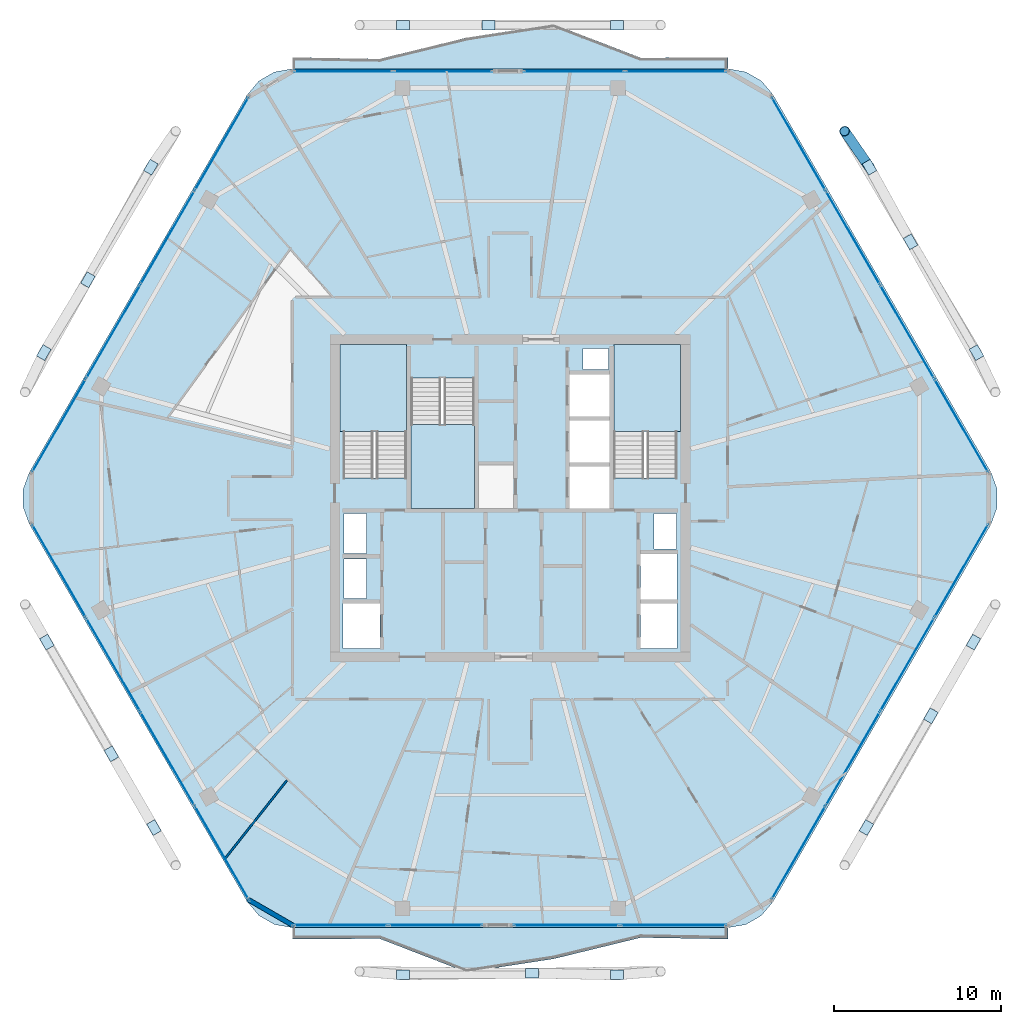
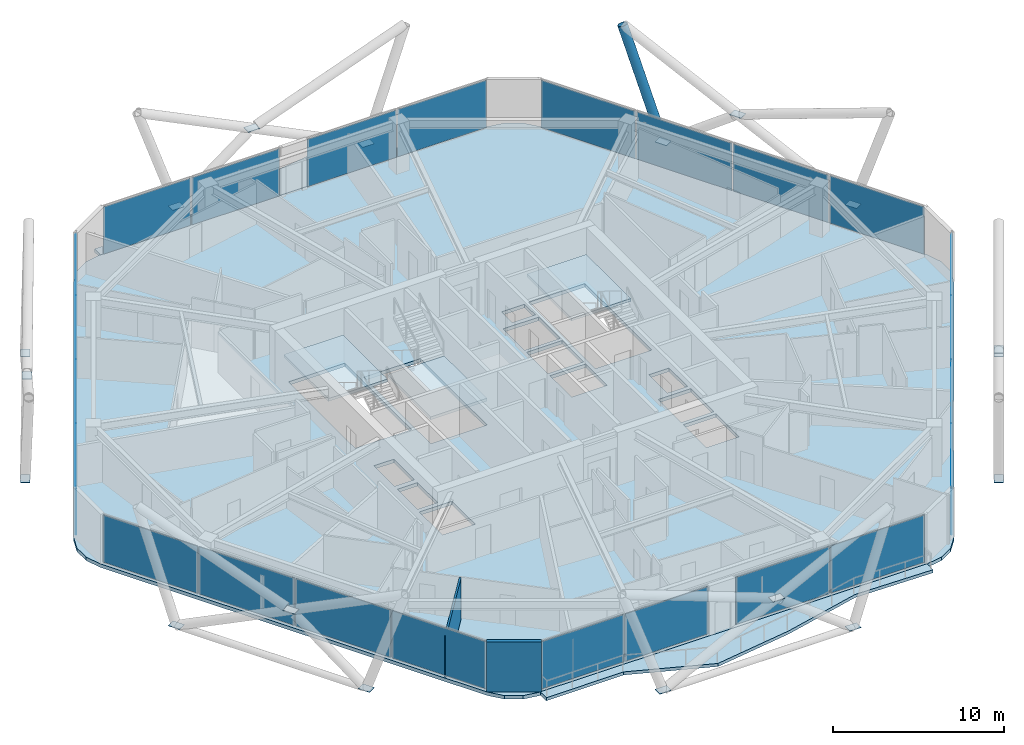
# One storey, part 19 of 28: 42 plates, 6 slabs, 2 walls, 1 member, 11 elements without a shape of their own.
"""IFC4 building model written with IfcOpenShell, lengths in metres."""

from ifc_helpers import new_model, si_unit, direction, frame, frame_2d, origin, origin_2d, place, context, subcontext, project, spatial, polyline, rectangle, hollow_circle, outline, extrude, material, layer, layer_set, material_profile, profile_set, type_object, element, aggregate, save


model = new_model("IFC4")

# Units and contexts
model_context = context("Model", 3, precision=1e-05, world=origin(), true_north=direction((0.0, 1.0)))
body_context = subcontext(model_context, "Body", "Model", "MODEL_VIEW")
ifc_project = project(units=[si_unit("LENGTHUNIT", "METRE"), si_unit("AREAUNIT", "SQUARE_METRE"), si_unit("VOLUMEUNIT", "CUBIC_METRE"), si_unit("PLANEANGLEUNIT", "RADIAN"), si_unit("MASSUNIT", "GRAM", prefix="KILO")], contexts=[model_context])

# Site, building, storey
site_placement = place(None, origin())
site = spatial("IfcSite", under=ifc_project, at=site_placement, CompositionType="ELEMENT")
building_placement = place(site_placement, origin())
building = spatial("IfcBuilding", under=site, at=building_placement, Name="Zuhravey Tower", CompositionType="ELEMENT")
storey_placement = place(building_placement, frame((0.0, 0.0, 254.0)))
storey = spatial("IfcBuildingStorey", under=building, at=storey_placement, Name="L64", CompositionType="ELEMENT", Elevation=254.0)

# Member
ifc_material_1 = material(Name="Steel SM355", Category="steel")
ifc_material_profile = material_profile(ifc_material_1, hollow_circle(Radius=0.3046875, WallThickness=0.028076171875, at=origin_2d()), Name="CHS-609.6x28")
ifc_profile_set = profile_set([ifc_material_profile], Name="Steel SM355")
member_type = type_object("IfcMemberType", Name="Exoskeleton Zone 3 Diagrid CHS610x28", PredefinedType="BRACE", material=ifc_profile_set)
member_placement = place(storey_placement, frame((57.50341796875, 51.821044921875, -0.446044921875), z_axis=(-0.185576202579, 0.269244105879, 0.945023324837), x_axis=(-0.823369095739, -0.567506239773, 0.0)))
element("IfcMember", 1, at=member_placement, inside=storey, type_object=member_type, Name="L64 Face 1 Diagrid Brace 4", PredefinedType="BRACE", context=body_context, shape_type="SweptSolid", body=[
    extrude(hollow_circle(Radius=0.3046875, WallThickness=0.028076171875, at=origin_2d()), origin(), (0.0, 0.0, 1.0), 8.00390625),
])

# Plates
ifc_material_2 = material(Name="Steel SM460", Category="steel")
ifc_layer_1 = layer(ifc_material_2, 0.031982421875)
ifc_layer_set_1 = layer_set([ifc_layer_1], Name="Steel SM460")
plate_type_1 = type_object("IfcPlateType", Name="Exoskeleton Zone 3 Node Plate ND3", PredefinedType="SHEET", material=ifc_layer_set_1)
for number, where, z_axis, x_axis, name in (
    (2, (63.914794921875, 40.717529296875, -0.47998046875), (0.0, 0.0, 1.0), (-0.5, 0.866025403784, 0.0), "L64 Exoskeleton Node Gusset L64-01"),
    (3, (57.507080078125, 51.81591796875, -0.47998046875), (0.0, 0.0, 1.0), (-0.5, 0.866025403784, 0.0), "L64 Exoskeleton Node Gusset L64-02"),
    (4, (42.40771484375, 60.323486328125, -0.47998046875), (0.0, 0.0, 1.0), (-1.0, 0.0, 0.0), "L64 Exoskeleton Node Gusset L64-03"),
    (5, (29.59228515625, 60.323486328125, -0.47998046875), (0.0, 0.0, 1.0), (-1.0, 0.0, 0.0), "L64 Exoskeleton Node Gusset L64-04"),
    (6, (14.492919921875, 51.81591796875, -0.47998046875), (0.0, 0.0, 1.0), (-0.5, -0.866025403784, 0.0), "L64 Exoskeleton Node Gusset L64-05"),
    (7, (8.085205078125, 40.717529296875, -0.47998046875), (0.0, 0.0, 1.0), (-0.5, -0.866025403784, 0.0), "L64 Exoskeleton Node Gusset L64-06"),
    (8, (8.26708984375, 23.387451171875, -0.47998046875), (0.0, 0.0, 1.0), (0.5, -0.866025403784, 0.0), "L64 Exoskeleton Node Gusset L64-07"),
    (9, (14.6748046875, 12.2890625, -0.47998046875), (0.0, 0.0, 1.0), (0.5, -0.866025403784, 0.0), "L64 Exoskeleton Node Gusset L64-08"),
    (10, (29.59228515625, 3.46630859375, -0.47998046875), (0.0, 0.0, 1.0), (1.0, 0.0, 0.0), "L64 Exoskeleton Node Gusset L64-09"),
    (11, (42.40771484375, 3.46630859375, -0.47998046875), (0.0, 0.0, 1.0), (1.0, 0.0, 0.0), "L64 Exoskeleton Node Gusset L64-10"),
    (12, (57.3251953125, 12.2890625, -0.47998046875), (0.0, 0.0, 1.0), (0.5, 0.866025403784, 0.0), "L64 Exoskeleton Node Gusset L64-11"),
    (13, (63.73291015625, 23.387451171875, -0.47998046875), (0.0, 0.0, 1.0), (0.5, 0.866025403784, 0.0), "L64 Exoskeleton Node Gusset L64-12"),
    (14, (59.964599609375, 47.349365234375, 3.31982421875), (0.0, 0.0, 1.0), (-0.5, 0.866025403784, 0.0), "L64 Face 1 Diagrid X-Crossing Plate"),
    (15, (34.689208984375, 60.323486328125, 3.31982421875), (0.0, 0.0, 1.0), (-1.0, 0.0, 0.0), "L64 Face 2 Diagrid X-Crossing Plate"),
    (16, (10.724853515625, 45.079345703125, 3.31982421875), (0.0, 0.0, 1.0), (-0.5, -0.866025403784, 0.0), "L64 Face 3 Diagrid X-Crossing Plate"),
    (17, (12.12646484375, 16.703125, 3.31982421875), (0.0, 0.0, 1.0), (0.5, -0.866025403784, 0.0), "L64 Face 4 Diagrid X-Crossing Plate"),
    (18, (37.310791015625, 3.5712890625, 3.31982421875), (0.0, 0.0, 1.0), (1.0, 0.0, 0.0), "L64 Face 5 Diagrid X-Crossing Plate"),
    (19, (61.184326171875, 18.973388671875, 3.31982421875), (0.0, 0.0, 1.0), (0.5, 0.866025403784, 0.0), "L64 Face 6 Diagrid X-Crossing Plate"),
):
    element("IfcPlate", number, at=place(storey_placement, frame(where, z_axis=z_axis, x_axis=x_axis)), inside=storey, type_object=plate_type_1, Name=name, PredefinedType="SHEET", context=body_context, shape_type="SweptSolid", body=[
        extrude(rectangle(XDim=0.780029296875, YDim=0.56005859375, at=origin_2d()), origin(), (0.0, 0.0, 1.0), 0.031982421875),
    ])

# Slabs
ifc_material_3 = material(Name="Concrete C50/60", Category="concrete")
ifc_layer_2 = layer(ifc_material_3, 0.25)
ifc_layer_set_2 = layer_set([ifc_layer_2], Name="Concrete C50/60")
slab_type_1 = type_object("IfcSlabType", Name="Residential Acoustic Slab 250", PredefinedType="FLOOR", material=ifc_layer_set_2)
slab_1_placement = place(storey_placement, frame((0.0, 0.0, -0.25)))
element("IfcSlab", 20, at=slab_1_placement, inside=storey, type_object=slab_type_1, Name="L64 Floor Slab FS25", PredefinedType="FLOOR", context=body_context, shape_type="SweptSolid", body=[
    extrude(outline(polyline([(64.78515625, 30.449951171875), (65.1533203125, 31.461669921875), (65.1533203125, 32.538330078125), (64.78515625, 33.550048828125), (51.73486328125, 56.153564453125), (51.04296875, 56.978515625), (50.110595703125, 57.5166015625), (49.05029296875, 57.70361328125), (22.94970703125, 57.70361328125), (21.889404296875, 57.5166015625), (20.95703125, 56.978515625), (20.26513671875, 56.153564453125), (7.21484375, 33.550048828125), (6.8466796875, 32.538330078125), (6.8466796875, 31.461669921875), (7.21484375, 30.449951171875), (20.26513671875, 7.846435546875), (20.95703125, 7.021484375), (21.889404296875, 6.4833984375), (22.94970703125, 6.29638671875), (49.05029296875, 6.29638671875), (50.110595703125, 6.4833984375), (51.04296875, 7.021484375), (51.73486328125, 7.846435546875), (64.78515625, 30.449951171875)]), holes=[polyline([(29.800048828125, 33.20068359375), (29.800048828125, 41.0), (26.0, 41.0), (26.0, 33.20068359375), (29.800048828125, 33.20068359375)]), polyline([(46.0, 33.20068359375), (46.0, 41.0), (42.199951171875, 41.0), (42.199951171875, 33.20068359375), (46.0, 33.20068359375)]), polyline([(30.050048828125, 39.199462890625), (30.050048828125, 31.39990234375), (33.85009765625, 31.39990234375), (33.85009765625, 39.199462890625), (30.050048828125, 39.199462890625)]), polyline([(39.550048828125, 31.39990234375), (41.949951171875, 31.39990234375), (41.949951171875, 33.89990234375), (39.550048828125, 33.89990234375), (39.550048828125, 31.39990234375)]), polyline([(39.550048828125, 34.14990234375), (41.949951171875, 34.14990234375), (41.949951171875, 36.64990234375), (39.550048828125, 36.64990234375), (39.550048828125, 34.14990234375)]), polyline([(39.550048828125, 36.89990234375), (41.949951171875, 36.89990234375), (41.949951171875, 39.39990234375), (39.550048828125, 39.39990234375), (39.550048828125, 36.89990234375)]), polyline([(26.0, 23.0), (28.199951171875, 23.0), (28.199951171875, 25.699951171875), (26.0, 25.699951171875), (26.0, 23.0)]), polyline([(43.800048828125, 23.0), (46.0, 23.0), (46.0, 25.699951171875), (43.800048828125, 25.699951171875), (43.800048828125, 23.0)]), polyline([(43.800048828125, 25.949951171875), (46.0, 25.949951171875), (46.0, 28.64990234375), (43.800048828125, 28.64990234375), (43.800048828125, 25.949951171875)]), polyline([(26.050048828125, 26.0), (27.39990234375, 26.0), (27.39990234375, 28.35009765625), (26.050048828125, 28.35009765625), (26.050048828125, 26.0)]), polyline([(26.050048828125, 28.699951171875), (27.39990234375, 28.699951171875), (27.39990234375, 31.10009765625), (26.050048828125, 31.10009765625), (26.050048828125, 28.699951171875)]), polyline([(44.60009765625, 28.949951171875), (45.949951171875, 28.949951171875), (45.949951171875, 31.10009765625), (44.60009765625, 31.10009765625), (44.60009765625, 28.949951171875)]), polyline([(40.35009765625, 39.699951171875), (41.89990234375, 39.699951171875), (41.89990234375, 40.949951171875), (40.35009765625, 40.949951171875), (40.35009765625, 39.699951171875)])]), origin(), (0.0, 0.0, 1.0), 0.25),
])
ifc_material_4 = material(Name="Concrete C40/50", Category="concrete")
ifc_layer_3 = layer(ifc_material_4, 0.219970703125)
ifc_layer_set_3 = layer_set([ifc_layer_3], Name="Concrete C40/50")
slab_type_2 = type_object("IfcSlabType", Name="Sinusoidal Residential Wave Balcony 220", PredefinedType="FLOOR", material=ifc_layer_set_3)
slab_2_placement = place(storey_placement, frame((0.0, 0.0, -0.219970703125)))
element("IfcSlab", 21, at=slab_2_placement, inside=storey, type_object=slab_type_2, Name="L64 Face 5 Wave Balcony WB22", PredefinedType="FLOOR", context=body_context, shape_type="SweptSolid", body=[
    extrude(outline(polyline([(22.95849609375, 6.311279296875), (49.04150390625, 6.311279296875), (49.04150390625, 5.611328125), (43.824951171875, 5.70361328125), (38.6083984375, 4.4296875), (33.3916015625, 3.627685546875), (28.175048828125, 5.639404296875), (22.95849609375, 5.611328125), (22.95849609375, 6.311279296875)])), origin(), (0.0, 0.0, 1.0), 0.219970703125),
])
slab_3_placement = place(storey_placement, frame((0.0, 0.0, -0.219970703125)))
element("IfcSlab", 22, at=slab_3_placement, inside=storey, type_object=slab_type_2, Name="L64 Face 2 Wave Balcony WB22", PredefinedType="FLOOR", context=body_context, shape_type="SweptSolid", body=[
    extrude(outline(polyline([(49.04150390625, 57.688720703125), (22.95849609375, 57.688720703125), (22.95849609375, 58.388671875), (28.175048828125, 58.29638671875), (33.3916015625, 59.5703125), (38.6083984375, 60.372314453125), (43.824951171875, 58.360595703125), (49.04150390625, 58.388671875), (49.04150390625, 57.688720703125)])), origin(), (0.0, 0.0, 1.0), 0.219970703125),
])

# Stair, slab
stair_type = type_object("IfcStairType", Name="Housing Storey Stair Assembly 3800", PredefinedType="HALF_TURN_STAIR", material=ifc_material_4)
stair_1_placement = place(storey_placement, origin())
stair_1 = element("IfcStair", 23, at=stair_1_placement, inside=storey, type_object=stair_type, Name="L64 Core Exit Stair ST1", PredefinedType="HALF_TURN_STAIR")
ifc_layer_4 = layer(ifc_material_4, 0.199951171875)
ifc_layer_set_4 = layer_set([ifc_layer_4], Name="Concrete C40/50")
slab_type_3 = type_object("IfcSlabType", Name="Stair Landing Slab 200", PredefinedType="LANDING", material=ifc_layer_set_4)
slab_4_placement = place(storey_placement, frame((0.0, 0.0, 1.699951171875)))
slab_4 = element("IfcSlab", 24, at=slab_4_placement, type_object=slab_type_3, Name="ST1 landing 1", PredefinedType="LANDING", context=body_context, shape_type="SweptSolid", body=[
    extrude(outline(polyline([(29.800048828125, 36.0), (29.800048828125, 41.197998046875), (25.802001953125, 41.197998046875), (25.802001953125, 36.0), (29.800048828125, 36.0)])), origin(), (0.0, 0.0, 1.0), 0.199951171875),
])
aggregate(stair_1, [slab_4])

stair_2_placement = place(storey_placement, origin())
stair_2 = element("IfcStair", 25, at=stair_2_placement, inside=storey, type_object=stair_type, Name="L64 Core Exit Stair ST2", PredefinedType="HALF_TURN_STAIR")
slab_5_placement = place(storey_placement, frame((0.0, 0.0, 1.699951171875)))
slab_5 = element("IfcSlab", 26, at=slab_5_placement, type_object=slab_type_3, Name="ST2 landing 1", PredefinedType="LANDING", context=body_context, shape_type="SweptSolid", body=[
    extrude(outline(polyline([(46.197998046875, 36.0), (46.197998046875, 41.197998046875), (42.199951171875, 41.197998046875), (42.199951171875, 36.0), (46.197998046875, 36.0)])), origin(), (0.0, 0.0, 1.0), 0.199951171875),
])
aggregate(stair_2, [slab_5])

stair_3_placement = place(storey_placement, origin())
stair_3 = element("IfcStair", 27, at=stair_3_placement, inside=storey, type_object=stair_type, Name="L64 Core Exit Stair ST3", PredefinedType="HALF_TURN_STAIR")
slab_6_placement = place(storey_placement, frame((0.0, 0.0, 1.699951171875)))
slab_6 = element("IfcSlab", 28, at=slab_6_placement, type_object=slab_type_3, Name="ST3 landing 1", PredefinedType="LANDING", context=body_context, shape_type="SweptSolid", body=[
    extrude(outline(polyline([(30.050048828125, 36.39990234375), (30.050048828125, 31.39990234375), (33.85009765625, 31.39990234375), (33.85009765625, 36.39990234375), (30.050048828125, 36.39990234375)])), origin(), (0.0, 0.0, 1.0), 0.199951171875),
])
aggregate(stair_3, [slab_6])

# Curtain wall, plates
ifc_material_5 = material(Name="Thermally broken anodised aluminium", Category="aluminium")
curtain_wall_type = type_object("IfcCurtainWallType", Name="Zone 3-4 High-Rise Curtain Wall CW4", PredefinedType="NOTDEFINED", material=ifc_material_5)
curtain_wall_1_placement = place(storey_placement, origin())
curtain_wall_1 = element("IfcCurtainWall", 29, at=curtain_wall_1_placement, inside=storey, type_object=curtain_wall_type, Name="L64 CW4 CW-L64-F6-1", PredefinedType="NOTDEFINED")
ifc_material_6 = material(Name="Triple low-E insulated vision glass", Category="glass")
ifc_layer_5 = layer(ifc_material_6, 0.0419921875)
ifc_layer_set_5 = layer_set([ifc_layer_5], Name="Triple low-E insulated vision glass")
plate_type_2 = type_object("IfcPlateType", Name="Triple Low-E Vision Panel", PredefinedType="CURTAIN_PANEL", material=ifc_layer_set_5)
plate_1_placement = place(storey_placement, frame((63.00732421875, 27.650634765625, 0.08984375), z_axis=(0.0, 0.0, 1.0), x_axis=(-0.500000957414, -0.866024851021, 0.0)))
plate_1 = element("IfcPlate", 30, at=plate_1_placement, type_object=plate_type_2, Name="CW4 panel 1.1", PredefinedType="CURTAIN_PANEL", context=body_context, shape_type="SweptSolid", body=[
    extrude(rectangle(XDim=6.371337890625, YDim=0.0419921875, at=origin_2d()), origin(), (0.0, 0.0, 1.0), 3.3701171875),
])
plate_2_placement = place(storey_placement, frame((59.765380859375, 22.03564453125, 0.08984375), z_axis=(0.0, 0.0, 1.0), x_axis=(-0.500000957414, -0.866024851021, 0.0)))
plate_2 = element("IfcPlate", 31, at=plate_2_placement, type_object=plate_type_2, Name="CW4 panel 2.1", PredefinedType="CURTAIN_PANEL", context=body_context, shape_type="SweptSolid", body=[
    extrude(rectangle(XDim=6.416259765625, YDim=0.0419921875, at=origin_2d()), origin(), (0.0, 0.0, 1.0), 3.3701171875),
])
plate_3_placement = place(storey_placement, frame((56.51220703125, 16.40087890625, 0.08984375), z_axis=(0.0, 0.0, 1.0), x_axis=(-0.500000957414, -0.866024851021, 0.0)))
plate_3 = element("IfcPlate", 32, at=plate_3_placement, type_object=plate_type_2, Name="CW4 panel 3.1", PredefinedType="CURTAIN_PANEL", context=body_context, shape_type="SweptSolid", body=[
    extrude(rectangle(XDim=6.416259765625, YDim=0.0419921875, at=origin_2d()), origin(), (0.0, 0.0, 1.0), 3.3701171875),
])
plate_4_placement = place(storey_placement, frame((53.270263671875, 10.78564453125, 0.08984375), z_axis=(0.0, 0.0, 1.0), x_axis=(-0.500000957414, -0.866024851021, 0.0)))
plate_4 = element("IfcPlate", 33, at=plate_4_placement, type_object=plate_type_2, Name="CW4 panel 4.1", PredefinedType="CURTAIN_PANEL", context=body_context, shape_type="SweptSolid", body=[
    extrude(rectangle(XDim=6.371337890625, YDim=0.0419921875, at=origin_2d()), origin(), (0.0, 0.0, 1.0), 3.3701171875),
])
aggregate(curtain_wall_1, [plate_1, plate_2, plate_3, plate_4])

curtain_wall_2_placement = place(storey_placement, origin())
curtain_wall_2 = element("IfcCurtainWall", 34, at=curtain_wall_2_placement, inside=storey, type_object=curtain_wall_type, Name="L64 CW4 CW-L64-F5-1", PredefinedType="NOTDEFINED")
plate_5_placement = place(storey_placement, frame((45.76513671875, 6.436279296875, 0.08984375), z_axis=(0.0, 0.0, 1.0), x_axis=(-1.0, 0.0, 0.0)))
plate_5 = element("IfcPlate", 35, at=plate_5_placement, type_object=plate_type_2, Name="CW4 panel 1.1", PredefinedType="CURTAIN_PANEL", context=body_context, shape_type="SweptSolid", body=[
    extrude(rectangle(XDim=6.315185546875, YDim=0.0419921875, at=origin_2d()), origin(), (0.0, 0.0, 1.0), 3.3701171875),
])
plate_6_placement = place(storey_placement, frame((39.35986328125, 6.436279296875, 0.08984375), z_axis=(0.0, 0.0, 1.0), x_axis=(-1.0, 0.0, 0.0)))
plate_6 = element("IfcPlate", 36, at=plate_6_placement, type_object=plate_type_2, Name="CW4 panel 2.1", PredefinedType="CURTAIN_PANEL", context=body_context, shape_type="SweptSolid", body=[
    extrude(rectangle(XDim=6.315185546875, YDim=0.0419921875, at=origin_2d()), origin(), (0.0, 0.0, 1.0), 3.3701171875),
])
aggregate(curtain_wall_2, [plate_5, plate_6])

curtain_wall_3_placement = place(storey_placement, origin())
curtain_wall_3 = element("IfcCurtainWall", 37, at=curtain_wall_3_placement, inside=storey, type_object=curtain_wall_type, Name="L64 CW4 CW-L64-F5-2", PredefinedType="NOTDEFINED")
plate_7_placement = place(storey_placement, frame((31.533447265625, 6.436279296875, 0.08984375), z_axis=(0.0, 0.0, 1.0), x_axis=(-1.0, 0.0, 0.0)))
plate_7 = element("IfcPlate", 38, at=plate_7_placement, type_object=plate_type_2, Name="CW4 panel 1.1", PredefinedType="CURTAIN_PANEL", context=body_context, shape_type="SweptSolid", body=[
    extrude(rectangle(XDim=5.577392578125, YDim=0.0419921875, at=origin_2d()), origin(), (0.0, 0.0, 1.0), 3.3701171875),
])
plate_8_placement = place(storey_placement, frame((25.865966796875, 6.436279296875, 0.08984375), z_axis=(0.0, 0.0, 1.0), x_axis=(-1.0, 0.0, 0.0)))
plate_8 = element("IfcPlate", 39, at=plate_8_placement, type_object=plate_type_2, Name="CW4 panel 2.1", PredefinedType="CURTAIN_PANEL", context=body_context, shape_type="SweptSolid", body=[
    extrude(rectangle(XDim=5.577392578125, YDim=0.0419921875, at=origin_2d()), origin(), (0.0, 0.0, 1.0), 3.3701171875),
])
aggregate(curtain_wall_3, [plate_7, plate_8])

curtain_wall_4_placement = place(storey_placement, origin())
curtain_wall_4 = element("IfcCurtainWall", 40, at=curtain_wall_4_placement, inside=storey, type_object=curtain_wall_type, Name="L64 CW4 CW-L64-F4-1", PredefinedType="NOTDEFINED")
plate_9_placement = place(storey_placement, frame((18.729736328125, 10.78564453125, 0.08984375), z_axis=(0.0, 0.0, 1.0), x_axis=(-0.500000957414, 0.866024851021, 0.0)))
plate_9 = element("IfcPlate", 41, at=plate_9_placement, type_object=plate_type_2, Name="CW4 panel 1.1", PredefinedType="CURTAIN_PANEL", context=body_context, shape_type="SweptSolid", body=[
    extrude(rectangle(XDim=6.371337890625, YDim=0.0419921875, at=origin_2d()), origin(), (0.0, 0.0, 1.0), 3.3701171875),
])
plate_10_placement = place(storey_placement, frame((15.48779296875, 16.40087890625, 0.08984375), z_axis=(0.0, 0.0, 1.0), x_axis=(-0.500000957414, 0.866024851021, 0.0)))
plate_10 = element("IfcPlate", 42, at=plate_10_placement, type_object=plate_type_2, Name="CW4 panel 2.1", PredefinedType="CURTAIN_PANEL", context=body_context, shape_type="SweptSolid", body=[
    extrude(rectangle(XDim=6.416259765625, YDim=0.0419921875, at=origin_2d()), origin(), (0.0, 0.0, 1.0), 3.3701171875),
])
plate_11_placement = place(storey_placement, frame((12.234619140625, 22.03564453125, 0.08984375), z_axis=(0.0, 0.0, 1.0), x_axis=(-0.500000957414, 0.866024851021, 0.0)))
plate_11 = element("IfcPlate", 43, at=plate_11_placement, type_object=plate_type_2, Name="CW4 panel 3.1", PredefinedType="CURTAIN_PANEL", context=body_context, shape_type="SweptSolid", body=[
    extrude(rectangle(XDim=6.416259765625, YDim=0.0419921875, at=origin_2d()), origin(), (0.0, 0.0, 1.0), 3.3701171875),
])
plate_12_placement = place(storey_placement, frame((8.99267578125, 27.650634765625, 0.08984375), z_axis=(0.0, 0.0, 1.0), x_axis=(-0.500000957414, 0.866024851021, 0.0)))
plate_12 = element("IfcPlate", 44, at=plate_12_placement, type_object=plate_type_2, Name="CW4 panel 4.1", PredefinedType="CURTAIN_PANEL", context=body_context, shape_type="SweptSolid", body=[
    extrude(rectangle(XDim=6.371337890625, YDim=0.0419921875, at=origin_2d()), origin(), (0.0, 0.0, 1.0), 3.3701171875),
])
aggregate(curtain_wall_4, [plate_9, plate_10, plate_11, plate_12])

curtain_wall_5_placement = place(storey_placement, origin())
curtain_wall_5 = element("IfcCurtainWall", 45, at=curtain_wall_5_placement, inside=storey, type_object=curtain_wall_type, Name="L64 CW4 CW-L64-F3-1", PredefinedType="NOTDEFINED")
plate_13_placement = place(storey_placement, frame((8.99267578125, 36.349365234375, 0.08984375), z_axis=(0.0, 0.0, 1.0), x_axis=(0.500000957414, 0.866024851021, 0.0)))
plate_13 = element("IfcPlate", 46, at=plate_13_placement, type_object=plate_type_2, Name="CW4 panel 1.1", PredefinedType="CURTAIN_PANEL", context=body_context, shape_type="SweptSolid", body=[
    extrude(rectangle(XDim=6.371337890625, YDim=0.0419921875, at=origin_2d()), origin(), (0.0, 0.0, 1.0), 3.3701171875),
])
plate_14_placement = place(storey_placement, frame((12.234619140625, 41.96435546875, 0.08984375), z_axis=(0.0, 0.0, 1.0), x_axis=(0.500000957414, 0.866024851021, 0.0)))
plate_14 = element("IfcPlate", 47, at=plate_14_placement, type_object=plate_type_2, Name="CW4 panel 2.1", PredefinedType="CURTAIN_PANEL", context=body_context, shape_type="SweptSolid", body=[
    extrude(rectangle(XDim=6.416259765625, YDim=0.0419921875, at=origin_2d()), origin(), (0.0, 0.0, 1.0), 3.3701171875),
])
plate_15_placement = place(storey_placement, frame((15.48779296875, 47.59912109375, 0.08984375), z_axis=(0.0, 0.0, 1.0), x_axis=(0.500000957414, 0.866024851021, 0.0)))
plate_15 = element("IfcPlate", 48, at=plate_15_placement, type_object=plate_type_2, Name="CW4 panel 3.1", PredefinedType="CURTAIN_PANEL", context=body_context, shape_type="SweptSolid", body=[
    extrude(rectangle(XDim=6.416259765625, YDim=0.0419921875, at=origin_2d()), origin(), (0.0, 0.0, 1.0), 3.3701171875),
])
plate_16_placement = place(storey_placement, frame((18.729736328125, 53.21435546875, 0.08984375), z_axis=(0.0, 0.0, 1.0), x_axis=(0.500000957414, 0.866024851021, 0.0)))
plate_16 = element("IfcPlate", 49, at=plate_16_placement, type_object=plate_type_2, Name="CW4 panel 4.1", PredefinedType="CURTAIN_PANEL", context=body_context, shape_type="SweptSolid", body=[
    extrude(rectangle(XDim=6.371337890625, YDim=0.0419921875, at=origin_2d()), origin(), (0.0, 0.0, 1.0), 3.3701171875),
])
aggregate(curtain_wall_5, [plate_13, plate_14, plate_15, plate_16])

curtain_wall_6_placement = place(storey_placement, origin())
curtain_wall_6 = element("IfcCurtainWall", 50, at=curtain_wall_6_placement, inside=storey, type_object=curtain_wall_type, Name="L64 CW4 CW-L64-F2-1", PredefinedType="NOTDEFINED")
plate_17_placement = place(storey_placement, frame((26.019287109375, 57.563720703125, 0.08984375), z_axis=(0.0, 0.0, 1.0), x_axis=(1.0, 0.0, 0.0)))
plate_17 = element("IfcPlate", 51, at=plate_17_placement, type_object=plate_type_2, Name="CW4 panel 1.1", PredefinedType="CURTAIN_PANEL", context=body_context, shape_type="SweptSolid", body=[
    extrude(rectangle(XDim=5.884033203125, YDim=0.0419921875, at=origin_2d()), origin(), (0.0, 0.0, 1.0), 3.3701171875),
])
plate_18_placement = place(storey_placement, frame((31.9931640625, 57.563720703125, 0.08984375), z_axis=(0.0, 0.0, 1.0), x_axis=(1.0, 0.0, 0.0)))
plate_18 = element("IfcPlate", 52, at=plate_18_placement, type_object=plate_type_2, Name="CW4 panel 2.1", PredefinedType="CURTAIN_PANEL", context=body_context, shape_type="SweptSolid", body=[
    extrude(rectangle(XDim=5.884033203125, YDim=0.0419921875, at=origin_2d()), origin(), (0.0, 0.0, 1.0), 3.3701171875),
])
aggregate(curtain_wall_6, [plate_17, plate_18])

curtain_wall_7_placement = place(storey_placement, origin())
curtain_wall_7 = element("IfcCurtainWall", 53, at=curtain_wall_7_placement, inside=storey, type_object=curtain_wall_type, Name="L64 CW4 CW-L64-F2-2", PredefinedType="NOTDEFINED")
plate_19_placement = place(storey_placement, frame((39.819580078125, 57.563720703125, 0.08984375), z_axis=(0.0, 0.0, 1.0), x_axis=(1.0, 0.0, 0.0)))
plate_19 = element("IfcPlate", 54, at=plate_19_placement, type_object=plate_type_2, Name="CW4 panel 1.1", PredefinedType="CURTAIN_PANEL", context=body_context, shape_type="SweptSolid", body=[
    extrude(rectangle(XDim=6.0087890625, YDim=0.0419921875, at=origin_2d()), origin(), (0.0, 0.0, 1.0), 3.3701171875),
])
plate_20_placement = place(storey_placement, frame((45.918212890625, 57.563720703125, 0.08984375), z_axis=(0.0, 0.0, 1.0), x_axis=(1.0, 0.0, 0.0)))
plate_20 = element("IfcPlate", 55, at=plate_20_placement, type_object=plate_type_2, Name="CW4 panel 2.1", PredefinedType="CURTAIN_PANEL", context=body_context, shape_type="SweptSolid", body=[
    extrude(rectangle(XDim=6.0087890625, YDim=0.0419921875, at=origin_2d()), origin(), (0.0, 0.0, 1.0), 3.3701171875),
])
aggregate(curtain_wall_7, [plate_19, plate_20])

curtain_wall_8_placement = place(storey_placement, origin())
curtain_wall_8 = element("IfcCurtainWall", 56, at=curtain_wall_8_placement, inside=storey, type_object=curtain_wall_type, Name="L64 CW4 CW-L64-F1-1", PredefinedType="NOTDEFINED")
plate_21_placement = place(storey_placement, frame((53.270263671875, 53.21435546875, 0.08984375), z_axis=(0.0, 0.0, 1.0), x_axis=(0.500000957414, -0.866024851021, 0.0)))
plate_21 = element("IfcPlate", 57, at=plate_21_placement, type_object=plate_type_2, Name="CW4 panel 1.1", PredefinedType="CURTAIN_PANEL", context=body_context, shape_type="SweptSolid", body=[
    extrude(rectangle(XDim=6.371337890625, YDim=0.0419921875, at=origin_2d()), origin(), (0.0, 0.0, 1.0), 3.3701171875),
])
plate_22_placement = place(storey_placement, frame((56.51220703125, 47.59912109375, 0.08984375), z_axis=(0.0, 0.0, 1.0), x_axis=(0.500000957414, -0.866024851021, 0.0)))
plate_22 = element("IfcPlate", 58, at=plate_22_placement, type_object=plate_type_2, Name="CW4 panel 2.1", PredefinedType="CURTAIN_PANEL", context=body_context, shape_type="SweptSolid", body=[
    extrude(rectangle(XDim=6.416259765625, YDim=0.0419921875, at=origin_2d()), origin(), (0.0, 0.0, 1.0), 3.3701171875),
])
plate_23_placement = place(storey_placement, frame((59.765380859375, 41.96435546875, 0.08984375), z_axis=(0.0, 0.0, 1.0), x_axis=(0.500000957414, -0.866024851021, 0.0)))
plate_23 = element("IfcPlate", 59, at=plate_23_placement, type_object=plate_type_2, Name="CW4 panel 3.1", PredefinedType="CURTAIN_PANEL", context=body_context, shape_type="SweptSolid", body=[
    extrude(rectangle(XDim=6.416259765625, YDim=0.0419921875, at=origin_2d()), origin(), (0.0, 0.0, 1.0), 3.3701171875),
])
plate_24_placement = place(storey_placement, frame((63.00732421875, 36.349365234375, 0.08984375), z_axis=(0.0, 0.0, 1.0), x_axis=(0.500000957414, -0.866024851021, 0.0)))
plate_24 = element("IfcPlate", 60, at=plate_24_placement, type_object=plate_type_2, Name="CW4 panel 4.1", PredefinedType="CURTAIN_PANEL", context=body_context, shape_type="SweptSolid", body=[
    extrude(rectangle(XDim=6.371337890625, YDim=0.0419921875, at=origin_2d()), origin(), (0.0, 0.0, 1.0), 3.3701171875),
])
aggregate(curtain_wall_8, [plate_21, plate_22, plate_23, plate_24])

# Walls
ifc_material_7 = material(Name="Precast concrete C40/50", Category="concrete")
ifc_layer_6 = layer(ifc_material_7, 0.280029296875)
ifc_layer_set_6 = layer_set([ifc_layer_6], Name="Precast concrete C40/50")
wall_type_1 = type_object("IfcWallType", Name="Crown Architectural Wall 280", PredefinedType="SOLIDWALL", material=ifc_layer_set_6)
wall_1_placement = place(storey_placement, frame((23.069580078125, 6.388916015625, 0.0), z_axis=(0.0, 0.0, 1.0), x_axis=(-0.866028773314, 0.499994163758, 0.0)))
element("IfcWall", 61, at=wall_1_placement, inside=storey, type_object=wall_type_1, Name="L64 Rounded Corner Closure Wall EW28-04", PredefinedType="SOLIDWALL", context=body_context, shape_type="SweptSolid", body=[
    extrude(rectangle(XDim=3.21484375, YDim=0.280029296875, at=frame_2d((1.607421875, 0.0))), origin(), (0.0, 0.0, 1.0), 3.550048828125),
])
ifc_material_8 = material(Name="Gypsum metal-stud partition")
ifc_layer_7 = layer(ifc_material_8, 0.1201171875)
ifc_layer_set_7 = layer_set([ifc_layer_7], Name="Gypsum metal-stud partition")
wall_type_2 = type_object("IfcWallType", Name="Unit Internal Partition 120", PredefinedType="PARTITIONING", material=ifc_layer_set_7)
wall_2_placement = place(storey_placement, frame((22.636962890625, 15.112548828125, 0.0), z_axis=(0.0, 0.0, 1.0), x_axis=(-0.62053305621, -0.784180289315, 0.0)))
element("IfcWall", 62, at=wall_2_placement, inside=storey, type_object=wall_type_2, Name="L64 IW12 Partition 076", PredefinedType="PARTITIONING", context=body_context, shape_type="SweptSolid", body=[
    extrude(rectangle(XDim=6.000244140625, YDim=0.1201171875, at=frame_2d((3.0, 0.0))), origin(), (0.0, 0.0, 1.0), 2.929931640625),
])

save(model, "model.ifc")
